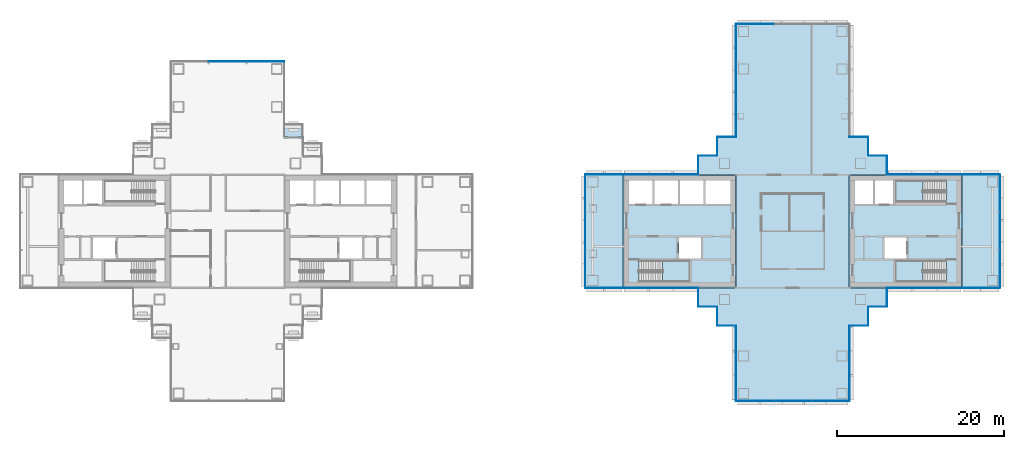
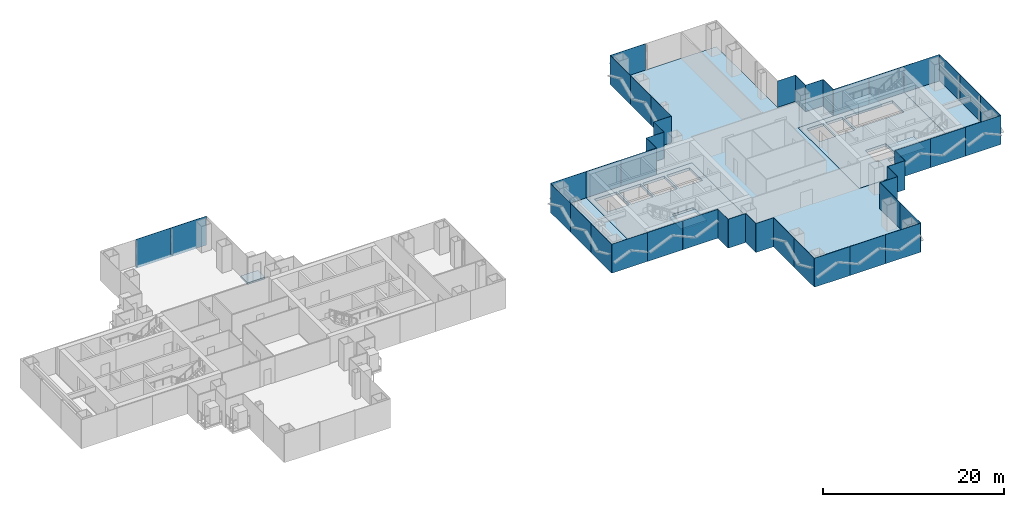
# One storey, part 9 of 19: 47 plates, 9 slabs, 23 elements without a shape of their own.
"""IFC4 building model written with IfcOpenShell, lengths in metres."""

import ifcopenshell
import ifcopenshell.guid

model = None  # the IFC model being written
_history = None  # IfcOwnerHistory: only IFC2X3 demands one
_inside = {}  # id of a spatial element -> (the spatial element, [elements in it])
_under = {}  # id of a project, library or spatial element -> (it, [spatial elements below it])
_declared = {}  # id of a project -> (the project, [libraries it declares])
_typed = {}  # id of a type object -> (the type object, [elements of that type])
_made_of = {}  # id of a material, layer set ... -> (it, [elements and type objects made of it])


def new_model(schema):
    """Start an empty IFC model of exactly this schema.

    Asked for "IFC4X3", IfcOpenShell would pick the latest addendum, in which some entities
    have other attributes; the version numbers below select the first issue.
    IFC2X3 requires an IfcOwnerHistory on every rooted entity: one is made here for all.
    """
    global model, _history
    if schema == "IFC4X3":
        model = ifcopenshell.file(schema_version=(4, 3, 0, 0))
    else:
        model = ifcopenshell.file(schema=schema)
    _inside.clear()
    _under.clear()
    _declared.clear()
    _typed.clear()
    _made_of.clear()
    _history = None
    if model.schema == "IFC2X3":
        org = make("IfcOrganization", Name="unknown")
        user = make(
            "IfcPersonAndOrganization",
            ThePerson=make("IfcPerson", FamilyName="unknown"),
            TheOrganization=org,
        )
        app = make(
            "IfcApplication",
            ApplicationDeveloper=org,
            Version="unknown",
            ApplicationFullName="unknown",
            ApplicationIdentifier="unknown",
        )
        _history = make(
            "IfcOwnerHistory",
            OwningUser=user,
            OwningApplication=app,
            ChangeAction="ADDED",
            CreationDate=0,
        )
    return model


def make(cls, **values):
    """One entity of the class cls with the attributes given. An attribute that is None is left unset."""
    return model.create_entity(
        cls, **{name: value for name, value in values.items() if value is not None}
    )


def rooted(cls, **values):
    """An entity with a GlobalId (a new one), such as an element, a storey or a relation."""
    return make(cls, GlobalId=ifcopenshell.guid.new(), OwnerHistory=_history, **values)


def si_unit(unit_type, name, prefix=None):
    """IfcSIUnit, for example si_unit("LENGTHUNIT", "METRE", prefix="MILLI")."""
    return make("IfcSIUnit", UnitType=unit_type, Prefix=prefix, Name=name)


def assignment(units):
    """IfcUnitAssignment: the units of a project."""
    return None if units is None else make("IfcUnitAssignment", Units=units)


def point(xyz):
    """IfcCartesianPoint."""
    return None if xyz is None else make("IfcCartesianPoint", Coordinates=xyz)


def direction(xyz):
    """IfcDirection."""
    return None if xyz is None else make("IfcDirection", DirectionRatios=xyz)


def frame(location, z_axis=None, x_axis=None):
    """IfcAxis2Placement3D, a coordinate frame: its origin and axes. An axis left out is left unset."""
    return make(
        "IfcAxis2Placement3D",
        Location=point(location),
        Axis=direction(z_axis),
        RefDirection=direction(x_axis),
    )


def frame_2d(location, x_axis=None):
    """IfcAxis2Placement2D, a coordinate frame in the plane: its origin and x axis."""
    return make(
        "IfcAxis2Placement2D", Location=point(location), RefDirection=direction(x_axis)
    )


def origin():
    """The frame at (0, 0, 0) with its axes left unset."""
    return frame((0.0, 0.0, 0.0))


def origin_2d():
    """The frame at (0, 0) in the plane with its x axis left unset."""
    return frame_2d((0.0, 0.0))


def place(relative_to, where):
    """IfcLocalPlacement: puts the frame where relative to a parent placement (None: the world)."""
    return make(
        "IfcLocalPlacement", PlacementRelTo=relative_to, RelativePlacement=where
    )


def context(
    kind, dimensions, precision=None, world=None, true_north=None, identifier=None
):
    """IfcGeometricRepresentationContext, for example the 3D "Model" context."""
    return make(
        "IfcGeometricRepresentationContext",
        ContextIdentifier=identifier,
        ContextType=kind,
        CoordinateSpaceDimension=dimensions,
        Precision=precision,
        WorldCoordinateSystem=world,
        TrueNorth=true_north,
    )


def subcontext(parent, identifier, kind, view, scale=None):
    """IfcGeometricRepresentationSubContext, for example "Body" below "Model"."""
    return make(
        "IfcGeometricRepresentationSubContext",
        ContextIdentifier=identifier,
        ContextType=kind,
        ParentContext=parent,
        TargetScale=scale,
        TargetView=view,
    )


def project(units=None, contexts=None):
    """IfcProject with its units and contexts."""
    return rooted(
        "IfcProject",
        Name="project",
        RepresentationContexts=contexts,
        UnitsInContext=assignment(units),
    )


def spatial(cls, under=None, at=None, **own):
    """A site, building, storey or space (cls), placed at a placement, below another one or the project."""
    s = rooted(cls, ObjectPlacement=at, **own)
    if under is not None:
        _under.setdefault(under.id(), (under, []))[1].append(s)
    return s


def polyline(points):
    """IfcPolyline through the points."""
    return make("IfcPolyline", Points=[point(p) for p in points])


def profile(cls, at=None, kind="AREA", **sizes):
    """A parametric profile (cls). Its sizes go by their IFC names, for example OverallWidth=200.0."""
    return make(cls, ProfileType=kind, Position=at, **sizes)


def rectangle(**sizes):
    """IfcRectangleProfileDef."""
    return profile("IfcRectangleProfileDef", **sizes)


def outline(outer, holes=None, kind="AREA"):
    """IfcArbitraryClosedProfileDef: a profile drawn as a closed curve; with holes, ...WithVoids."""
    if holes is None:
        return make("IfcArbitraryClosedProfileDef", ProfileType=kind, OuterCurve=outer)
    return make(
        "IfcArbitraryProfileDefWithVoids",
        ProfileType=kind,
        OuterCurve=outer,
        InnerCurves=holes,
    )


def extrude(swept, where, along, depth):
    """IfcExtrudedAreaSolid: the profile swept, set in the frame where, extruded along a direction by depth."""
    return make(
        "IfcExtrudedAreaSolid",
        SweptArea=swept,
        Position=where,
        ExtrudedDirection=direction(along),
        Depth=depth,
    )


def shape(context_of_items, identifier, shape_type, items):
    """IfcShapeRepresentation: the items that make up one representation, for example the "Body"."""
    return make(
        "IfcShapeRepresentation",
        ContextOfItems=context_of_items,
        RepresentationIdentifier=identifier,
        RepresentationType=shape_type,
        Items=items,
    )


def material(Name=None, Category=None):
    """IfcMaterial."""
    return make("IfcMaterial", Name=Name, Category=Category)


def layer(
    of_material, thickness, ventilated=None, Name=None, Category=None, Priority=None
):
    """IfcMaterialLayer: one layer of a wall or slab, of a material (None: an air gap)."""
    return make(
        "IfcMaterialLayer",
        Material=of_material,
        LayerThickness=thickness,
        IsVentilated=ventilated,
        Name=Name,
        Category=Category,
        Priority=Priority,
    )


def layer_set(layers, Name=None):
    """IfcMaterialLayerSet."""
    return make("IfcMaterialLayerSet", MaterialLayers=layers, LayerSetName=Name)


def made_of(thing, what):
    """Note that an element or type object is made of a material, layer set ...; save() writes the relation."""
    if what is not None:
        _made_of.setdefault(what.id(), (what, []))[1].append(thing)
    return thing


def type_object(cls, material=None, **own):
    """A type object (cls), such as IfcWallType, which elements share."""
    return made_of(rooted(cls, **own), material)


def element(
    cls,
    number,
    at=None,
    inside=None,
    cuts=None,
    type_object=None,
    material=None,
    context=None,
    identifier="Body",
    shape_type=None,
    held_by="IfcProductDefinitionShape",
    body=None,
    shapes=None,
    **own,
):
    """One element of the class cls, such as IfcWall. Its Tag is "e" and its number.

    at: its placement. inside: the storey or other place that contains it. cuts: it is an
    opening in that element (IfcRelVoidsElement). A single representation is given by context,
    identifier, shape_type and body (its items); several are given by shapes. held_by: the class
    of the entity that holds the representations. save() writes the other relations.
    """
    e = rooted(cls, Tag="e%d" % number, ObjectPlacement=at, **own)
    if body is not None:
        shapes = [shape(context, identifier, shape_type, body)]
    if shapes is not None:
        e.Representation = make(held_by, Representations=shapes)
    if inside is not None:
        _inside.setdefault(inside.id(), (inside, []))[1].append(e)
    if cuts is not None:
        rooted(
            "IfcRelVoidsElement", RelatingBuildingElement=cuts, RelatedOpeningElement=e
        )
    if type_object is not None:
        _typed.setdefault(type_object.id(), (type_object, []))[1].append(e)
    return made_of(e, material)


def aggregate(whole, parts):
    """IfcRelAggregates: a whole, such as a stair, and the parts it consists of."""
    return rooted("IfcRelAggregates", RelatingObject=whole, RelatedObjects=parts)


def save(model, path):
    """Write the relations noted so far, then the file.

    IfcRelAggregates (storeys below a building ...), IfcRelContainedInSpatialStructure (elements
    in a storey), IfcRelDefinesByType, IfcRelAssociatesMaterial and IfcRelDeclares: one each for
    every whole, place, type object, material and project.
    """
    for whole, parts in _under.values():
        aggregate(whole, parts)
    for where, things in _inside.values():
        rooted(
            "IfcRelContainedInSpatialStructure",
            RelatedElements=things,
            RelatingStructure=where,
        )
    for kind, things in _typed.values():
        rooted("IfcRelDefinesByType", RelatedObjects=things, RelatingType=kind)
    for what, things in _made_of.values():
        rooted("IfcRelAssociatesMaterial", RelatedObjects=things, RelatingMaterial=what)
    for by, libraries in _declared.values():
        rooted("IfcRelDeclares", RelatingContext=by, RelatedDefinitions=libraries)
    model.write(path)


model = new_model("IFC4")

# Units and contexts
model_context = context("Model", 3, precision=1e-05, world=origin(), true_north=direction((0.0, 1.0)))
body_context = subcontext(model_context, "Body", "Model", "MODEL_VIEW")
ifc_project = project(units=[si_unit("LENGTHUNIT", "METRE"), si_unit("AREAUNIT", "SQUARE_METRE"), si_unit("VOLUMEUNIT", "CUBIC_METRE"), si_unit("PLANEANGLEUNIT", "RADIAN"), si_unit("MASSUNIT", "GRAM", prefix="KILO")], contexts=[model_context])

# Site, building, storey
site_placement = place(None, origin())
site = spatial("IfcSite", under=ifc_project, at=site_placement, CompositionType="ELEMENT")
building_placement = place(site_placement, origin())
building = spatial("IfcBuilding", under=site, at=building_placement, Name="Shamsa Quay Exchange Towers", CompositionType="ELEMENT")
storey_placement = place(building_placement, frame((0.0, 0.0, 85.800048828125)))
storey = spatial("IfcBuildingStorey", under=building, at=storey_placement, Name="L19", CompositionType="ELEMENT", Elevation=85.800048828125)

# Slabs
ifc_material_1 = material(Name="Precast concrete C40/50", Category="concrete")
ifc_layer_1 = layer(ifc_material_1, 0.25)
ifc_layer_set_1 = layer_set([ifc_layer_1], Name="BALCONY SLAB 250")
slab_type_1 = type_object("IfcSlabType", Name="BALCONY SLAB 250", PredefinedType="FLOOR", material=ifc_layer_set_1)
slab_1_placement = place(storey_placement, frame((0.0, 0.0, -0.25)))
element("IfcSlab", 1, at=slab_1_placement, inside=storey, type_object=slab_type_1, Name="Balcony T1-PKEN L19", PredefinedType="FLOOR", context=body_context, shape_type="SweptSolid", body=[
    extrude(outline(polyline([(-24.75, 11.25), (-26.9619140625, 11.25), (-26.9619140625, 12.800048828125), (-24.75, 12.800048828125), (-24.75, 11.25)])), origin(), (0.0, 0.0, 1.0), 0.25),
])
ifc_material_2 = material(Name="Concrete C50/60", Category="concrete")
ifc_layer_2 = layer(ifc_material_2, 0.35009765625)
ifc_layer_set_2 = layer_set([ifc_layer_2], Name="CORE FLOOR 350 C50/60")
slab_type_2 = type_object("IfcSlabType", Name="CORE FLOOR 350 C50/60", PredefinedType="FLOOR", material=ifc_layer_set_2)
slab_2_placement = place(storey_placement, frame((0.0, 0.0, -0.35009765625)))
element("IfcSlab", 2, at=slab_2_placement, inside=storey, type_object=slab_type_2, Name="Core floor T2A", PredefinedType="FLOOR", context=body_context, shape_type="SweptSolid", body=[
    extrude(outline(polyline([(13.5, -6.75), (27.0, -6.75), (27.0, 6.75), (13.5, 6.75), (13.5, -6.75)]), holes=[polyline([(15.400634765625, -6.050048828125), (15.400634765625, -3.5), (21.5, -3.5), (21.5, -6.050048828125), (15.400634765625, -6.050048828125)]), polyline([(14.199951171875, 3.25), (14.199951171875, 6.050048828125), (17.0, 6.050048828125), (17.0, 3.25), (14.199951171875, 3.25)]), polyline([(17.25, 3.25), (17.25, 6.050048828125), (20.050048828125, 6.050048828125), (20.050048828125, 3.25), (17.25, 3.25)]), polyline([(20.300048828125, 3.25), (20.300048828125, 6.050048828125), (23.10009765625, 6.050048828125), (23.10009765625, 3.25), (20.300048828125, 3.25)]), polyline([(23.35009765625, 3.25), (23.35009765625, 6.050048828125), (26.300048828125, 6.050048828125), (26.300048828125, 3.25), (23.35009765625, 3.25)]), polyline([(20.14990234375, -3.25), (20.14990234375, -0.75), (22.800048828125, -0.75), (22.800048828125, -3.25), (20.14990234375, -3.25)])]), origin(), (0.0, 0.0, 1.0), 0.35009765625),
])
slab_3_placement = place(storey_placement, frame((0.0, 0.0, -0.35009765625)))
element("IfcSlab", 3, at=slab_3_placement, inside=storey, type_object=slab_type_2, Name="Core floor T2B", PredefinedType="FLOOR", context=body_context, shape_type="SweptSolid", body=[
    extrude(outline(polyline([(54.0, -6.75), (54.0, 6.75), (40.5, 6.75), (40.5, -6.75), (54.0, -6.75)]), holes=[polyline([(52.099365234375, -3.5), (52.099365234375, -6.050048828125), (46.0, -6.050048828125), (46.0, -3.5), (52.099365234375, -3.5)]), polyline([(52.099365234375, 6.050048828125), (52.099365234375, 3.5), (46.0, 3.5), (46.0, 6.050048828125), (52.099365234375, 6.050048828125)]), polyline([(45.75, 3.25), (43.60009765625, 3.25), (43.60009765625, 6.050048828125), (45.75, 6.050048828125), (45.75, 3.25)]), polyline([(43.35009765625, 3.25), (41.199951171875, 3.25), (41.199951171875, 6.050048828125), (43.35009765625, 6.050048828125), (43.35009765625, 3.25)]), polyline([(47.35009765625, -3.25), (44.699951171875, -3.25), (44.699951171875, -0.75), (47.35009765625, -0.75), (47.35009765625, -3.25)])]), origin(), (0.0, 0.0, 1.0), 0.35009765625),
])

# Stair, slab
ifc_material_3 = material(Name="Concrete C40/50", Category="concrete")
stair_type = type_object("IfcStairType", Name="EXIT STAIR 22 RISERS 177 MM", PredefinedType="HALF_TURN_STAIR", material=ifc_material_3)
stair_1_placement = place(storey_placement, origin())
stair_1 = element("IfcStair", 4, at=stair_1_placement, inside=storey, type_object=stair_type, Name="L19 Exit stair ST4", PredefinedType="HALF_TURN_STAIR")
ifc_layer_3 = layer(ifc_material_3, 0.199951171875)
ifc_layer_set_3 = layer_set([ifc_layer_3], Name="CORE STAIR LANDING")
slab_type_3 = type_object("IfcSlabType", Name="CORE STAIR LANDING", PredefinedType="LANDING", material=ifc_layer_set_3)
slab_4_placement = place(storey_placement, frame((0.0, 0.0, 1.75)))
slab_4 = element("IfcSlab", 5, at=slab_4_placement, type_object=slab_type_3, Name="ST4 landing 1", PredefinedType="LANDING", context=body_context, shape_type="SweptSolid", body=[
    extrude(outline(polyline([(18.199951171875, -6.050048828125), (21.5, -6.050048828125), (21.5, -3.5), (18.199951171875, -3.5), (18.199951171875, -6.050048828125)])), origin(), (0.0, 0.0, 1.0), 0.199951171875),
])
aggregate(stair_1, [slab_4])

stair_2_placement = place(storey_placement, origin())
stair_2 = element("IfcStair", 6, at=stair_2_placement, inside=storey, type_object=stair_type, Name="L19 Exit stair ST5", PredefinedType="HALF_TURN_STAIR")
slab_5_placement = place(storey_placement, frame((0.0, 0.0, 1.75)))
slab_5 = element("IfcSlab", 7, at=slab_5_placement, type_object=slab_type_3, Name="ST5 landing 1", PredefinedType="LANDING", context=body_context, shape_type="SweptSolid", body=[
    extrude(outline(polyline([(49.300048828125, -3.5), (46.0, -3.5), (46.0, -6.050048828125), (49.300048828125, -6.050048828125), (49.300048828125, -3.5)])), origin(), (0.0, 0.0, 1.0), 0.199951171875),
])
aggregate(stair_2, [slab_5])

stair_3_placement = place(storey_placement, origin())
stair_3 = element("IfcStair", 8, at=stair_3_placement, inside=storey, type_object=stair_type, Name="L19 Exit stair ST6", PredefinedType="HALF_TURN_STAIR")
slab_6_placement = place(storey_placement, frame((0.0, 0.0, 1.75)))
slab_6 = element("IfcSlab", 9, at=slab_6_placement, type_object=slab_type_3, Name="ST6 landing 1", PredefinedType="LANDING", context=body_context, shape_type="SweptSolid", body=[
    extrude(outline(polyline([(49.300048828125, 6.050048828125), (46.0, 6.050048828125), (46.0, 3.5), (49.300048828125, 3.5), (49.300048828125, 6.050048828125)])), origin(), (0.0, 0.0, 1.0), 0.199951171875),
])
aggregate(stair_3, [slab_6])

# Curtain wall, plates
ifc_material_4 = material(Name="Aluminium EN AW-6063 T6, black anodised", Category="aluminium")
ifc_layer_4 = layer(ifc_material_4, 0.280029296875)
ifc_layer_set_4 = layer_set([ifc_layer_4], Name="CW-1 UNITISED VISION GLASS")
curtain_wall_type_1 = type_object("IfcCurtainWallType", Name="CW-1 UNITISED VISION GLASS", PredefinedType="NOTDEFINED", material=ifc_layer_set_4)
curtain_wall_1_placement = place(storey_placement, origin())
curtain_wall_1 = element("IfcCurtainWall", 10, at=curtain_wall_1_placement, inside=storey, type_object=curtain_wall_type_1, Name="CW1 T1-END-V+ L19", PredefinedType="NOTDEFINED")
ifc_material_5 = material(Name="Glass, laminated, dark tinted", Category="glass")
ifc_layer_5 = layer(ifc_material_5, 0.0400390625)
ifc_layer_set_5 = layer_set([ifc_layer_5], Name="CW-1 VISION GLASS 40")
plate_type_1 = type_object("IfcPlateType", Name="CW-1 VISION GLASS 40", PredefinedType="CURTAIN_PANEL", material=ifc_layer_set_5)
plate_1_placement = place(storey_placement, frame((-29.24755859375, 20.27001953125, -0.35009765625), z_axis=(0.0, 0.0, 1.0), x_axis=(-1.0, 0.0, 0.0)))
plate_1 = element("IfcPlate", 11, at=plate_1_placement, type_object=plate_type_1, Name="CW1 glass panel", PredefinedType="CURTAIN_PANEL", context=body_context, shape_type="SweptSolid", body=[
    extrude(rectangle(XDim=4.4951171875, YDim=0.0400390625, at=origin_2d()), origin(), (0.0, 0.0, 1.0), 3.89990234375),
])
plate_2_placement = place(storey_placement, frame((-33.75, 20.27001953125, -0.35009765625), z_axis=(0.0, 0.0, 1.0), x_axis=(-1.0, 0.0, 0.0)))
plate_2 = element("IfcPlate", 12, at=plate_2_placement, type_object=plate_type_1, Name="CW1 glass panel", PredefinedType="CURTAIN_PANEL", context=body_context, shape_type="SweptSolid", body=[
    extrude(rectangle(XDim=4.489990234375, YDim=0.0400390625, at=origin_2d()), origin(), (0.0, 0.0, 1.0), 3.89990234375),
])
aggregate(curtain_wall_1, [plate_1, plate_2])

# Curtain wall, plate
curtain_wall_2_placement = place(storey_placement, origin())
curtain_wall_2 = element("IfcCurtainWall", 13, at=curtain_wall_2_placement, inside=storey, type_object=curtain_wall_type_1, Name="CW1 T2-FLK-V-W L19", PredefinedType="NOTDEFINED")
plate_3_placement = place(storey_placement, frame((56.25, -6.77001953125, -0.35009765625)))
plate_3 = element("IfcPlate", 14, at=plate_3_placement, type_object=plate_type_1, Name="CW1 glass panel", PredefinedType="CURTAIN_PANEL", context=body_context, shape_type="SweptSolid", body=[
    extrude(rectangle(XDim=4.5, YDim=0.0400390625, at=origin_2d()), origin(), (0.0, 0.0, 1.0), 3.89990234375),
])
aggregate(curtain_wall_2, [plate_3])

# Curtain wall, plates
curtain_wall_3_placement = place(storey_placement, origin())
curtain_wall_3 = element("IfcCurtainWall", 15, at=curtain_wall_3_placement, inside=storey, type_object=curtain_wall_type_1, Name="CW1 T2-END-V- L19", PredefinedType="NOTDEFINED")
plate_4_placement = place(storey_placement, frame((58.52001953125, -4.50244140625, -0.35009765625), z_axis=(0.0, 0.0, 1.0), x_axis=(0.0, 1.0, 0.0)))
plate_4 = element("IfcPlate", 16, at=plate_4_placement, type_object=plate_type_1, Name="CW1 glass panel", PredefinedType="CURTAIN_PANEL", context=body_context, shape_type="SweptSolid", body=[
    extrude(rectangle(XDim=4.4951171875, YDim=0.0400390625, at=origin_2d()), origin(), (0.0, 0.0, 1.0), 3.89990234375),
])
plate_5_placement = place(storey_placement, frame((58.52001953125, 0.0, -0.35009765625), z_axis=(0.0, 0.0, 1.0), x_axis=(0.0, 1.0, 0.0)))
plate_5 = element("IfcPlate", 17, at=plate_5_placement, type_object=plate_type_1, Name="CW1 glass panel", PredefinedType="CURTAIN_PANEL", context=body_context, shape_type="SweptSolid", body=[
    extrude(rectangle(XDim=4.489990234375, YDim=0.0400390625, at=origin_2d()), origin(), (0.0, 0.0, 1.0), 3.89990234375),
])
plate_6_placement = place(storey_placement, frame((58.52001953125, 4.50244140625, -0.35009765625), z_axis=(0.0, 0.0, 1.0), x_axis=(0.0, 1.0, 0.0)))
plate_6 = element("IfcPlate", 18, at=plate_6_placement, type_object=plate_type_1, Name="CW1 glass panel", PredefinedType="CURTAIN_PANEL", context=body_context, shape_type="SweptSolid", body=[
    extrude(rectangle(XDim=4.4951171875, YDim=0.0400390625, at=origin_2d()), origin(), (0.0, 0.0, 1.0), 3.89990234375),
])
aggregate(curtain_wall_3, [plate_4, plate_5, plate_6])

# Curtain wall, plate
curtain_wall_4_placement = place(storey_placement, origin())
curtain_wall_4 = element("IfcCurtainWall", 19, at=curtain_wall_4_placement, inside=storey, type_object=curtain_wall_type_1, Name="CW1 T2-FLK-V-E L19", PredefinedType="NOTDEFINED")
plate_7_placement = place(storey_placement, frame((56.25, 6.77001953125, -0.35009765625), z_axis=(0.0, 0.0, 1.0), x_axis=(-1.0, 0.0, 0.0)))
plate_7 = element("IfcPlate", 20, at=plate_7_placement, type_object=plate_type_1, Name="CW1 glass panel", PredefinedType="CURTAIN_PANEL", context=body_context, shape_type="SweptSolid", body=[
    extrude(rectangle(XDim=4.5, YDim=0.0400390625, at=origin_2d()), origin(), (0.0, 0.0, 1.0), 3.89990234375),
])
aggregate(curtain_wall_4, [plate_7])

curtain_wall_5_placement = place(storey_placement, origin())
curtain_wall_5 = element("IfcCurtainWall", 21, at=curtain_wall_5_placement, inside=storey, type_object=curtain_wall_type_1, Name="CW1 T2-END-U+ L19", PredefinedType="NOTDEFINED")
plate_8_placement = place(storey_placement, frame((29.24755859375, 24.77001953125, -0.35009765625), z_axis=(0.0, 0.0, 1.0), x_axis=(-1.0, 0.0, 0.0)))
plate_8 = element("IfcPlate", 22, at=plate_8_placement, type_object=plate_type_1, Name="CW1 glass panel", PredefinedType="CURTAIN_PANEL", context=body_context, shape_type="SweptSolid", body=[
    extrude(rectangle(XDim=4.4951171875, YDim=0.0400390625, at=origin_2d()), origin(), (0.0, 0.0, 1.0), 3.89990234375),
])
aggregate(curtain_wall_5, [plate_8])

# Curtain wall, plates
curtain_wall_6_placement = place(storey_placement, origin())
curtain_wall_6 = element("IfcCurtainWall", 23, at=curtain_wall_6_placement, inside=storey, type_object=curtain_wall_type_1, Name="CW1 T2-FLK-U+N L19", PredefinedType="NOTDEFINED")
plate_9_placement = place(storey_placement, frame((26.97998046875, 22.50244140625, -0.35009765625), z_axis=(0.0, 0.0, 1.0), x_axis=(0.0, -1.0, 0.0)))
plate_9 = element("IfcPlate", 24, at=plate_9_placement, type_object=plate_type_1, Name="CW1 glass panel", PredefinedType="CURTAIN_PANEL", context=body_context, shape_type="SweptSolid", body=[
    extrude(rectangle(XDim=4.4951171875, YDim=0.0400390625, at=origin_2d()), origin(), (0.0, 0.0, 1.0), 3.89990234375),
])
plate_10_placement = place(storey_placement, frame((26.97998046875, 18.0, -0.35009765625), z_axis=(0.0, 0.0, 1.0), x_axis=(0.0, -1.0, 0.0)))
plate_10 = element("IfcPlate", 25, at=plate_10_placement, type_object=plate_type_1, Name="CW1 glass panel", PredefinedType="CURTAIN_PANEL", context=body_context, shape_type="SweptSolid", body=[
    extrude(rectangle(XDim=4.489990234375, YDim=0.0400390625, at=origin_2d()), origin(), (0.0, 0.0, 1.0), 3.89990234375),
])
plate_11_placement = place(storey_placement, frame((26.97998046875, 13.49755859375, -0.35009765625), z_axis=(0.0, 0.0, 1.0), x_axis=(0.0, -1.0, 0.0)))
plate_11 = element("IfcPlate", 26, at=plate_11_placement, type_object=plate_type_1, Name="CW1 glass panel", PredefinedType="CURTAIN_PANEL", context=body_context, shape_type="SweptSolid", body=[
    extrude(rectangle(XDim=4.4951171875, YDim=0.0400390625, at=origin_2d()), origin(), (0.0, 0.0, 1.0), 3.89990234375),
])
aggregate(curtain_wall_6, [plate_9, plate_10, plate_11])

# Curtain wall, plate
curtain_wall_7_placement = place(storey_placement, origin())
curtain_wall_7 = element("IfcCurtainWall", 27, at=curtain_wall_7_placement, inside=storey, type_object=curtain_wall_type_1, Name="CW1 T2-FLK-V+E L19", PredefinedType="NOTDEFINED")
plate_12_placement = place(storey_placement, frame((11.25, 6.77001953125, -0.35009765625), z_axis=(0.0, 0.0, 1.0), x_axis=(-1.0, 0.0, 0.0)))
plate_12 = element("IfcPlate", 28, at=plate_12_placement, type_object=plate_type_1, Name="CW1 glass panel", PredefinedType="CURTAIN_PANEL", context=body_context, shape_type="SweptSolid", body=[
    extrude(rectangle(XDim=4.5, YDim=0.0400390625, at=origin_2d()), origin(), (0.0, 0.0, 1.0), 3.89990234375),
])
aggregate(curtain_wall_7, [plate_12])

# Curtain wall, plates
curtain_wall_8_placement = place(storey_placement, origin())
curtain_wall_8 = element("IfcCurtainWall", 29, at=curtain_wall_8_placement, inside=storey, type_object=curtain_wall_type_1, Name="CW1 T2-END-V+ L19", PredefinedType="NOTDEFINED")
plate_13_placement = place(storey_placement, frame((8.97998046875, 4.50244140625, -0.35009765625), z_axis=(0.0, 0.0, 1.0), x_axis=(0.0, -1.0, 0.0)))
plate_13 = element("IfcPlate", 30, at=plate_13_placement, type_object=plate_type_1, Name="CW1 glass panel", PredefinedType="CURTAIN_PANEL", context=body_context, shape_type="SweptSolid", body=[
    extrude(rectangle(XDim=4.4951171875, YDim=0.0400390625, at=origin_2d()), origin(), (0.0, 0.0, 1.0), 3.89990234375),
])
plate_14_placement = place(storey_placement, frame((8.97998046875, 0.0, -0.35009765625), z_axis=(0.0, 0.0, 1.0), x_axis=(0.0, -1.0, 0.0)))
plate_14 = element("IfcPlate", 31, at=plate_14_placement, type_object=plate_type_1, Name="CW1 glass panel", PredefinedType="CURTAIN_PANEL", context=body_context, shape_type="SweptSolid", body=[
    extrude(rectangle(XDim=4.489990234375, YDim=0.0400390625, at=origin_2d()), origin(), (0.0, 0.0, 1.0), 3.89990234375),
])
plate_15_placement = place(storey_placement, frame((8.97998046875, -4.50244140625, -0.35009765625), z_axis=(0.0, 0.0, 1.0), x_axis=(0.0, -1.0, 0.0)))
plate_15 = element("IfcPlate", 32, at=plate_15_placement, type_object=plate_type_1, Name="CW1 glass panel", PredefinedType="CURTAIN_PANEL", context=body_context, shape_type="SweptSolid", body=[
    extrude(rectangle(XDim=4.4951171875, YDim=0.0400390625, at=origin_2d()), origin(), (0.0, 0.0, 1.0), 3.89990234375),
])
aggregate(curtain_wall_8, [plate_13, plate_14, plate_15])

# Curtain wall, plate
curtain_wall_9_placement = place(storey_placement, origin())
curtain_wall_9 = element("IfcCurtainWall", 33, at=curtain_wall_9_placement, inside=storey, type_object=curtain_wall_type_1, Name="CW1 T2-FLK-V+W L19", PredefinedType="NOTDEFINED")
plate_16_placement = place(storey_placement, frame((11.25, -6.77001953125, -0.35009765625)))
plate_16 = element("IfcPlate", 34, at=plate_16_placement, type_object=plate_type_1, Name="CW1 glass panel", PredefinedType="CURTAIN_PANEL", context=body_context, shape_type="SweptSolid", body=[
    extrude(rectangle(XDim=4.5, YDim=0.0400390625, at=origin_2d()), origin(), (0.0, 0.0, 1.0), 3.89990234375),
])
aggregate(curtain_wall_9, [plate_16])

# Curtain wall, plates
curtain_wall_10_placement = place(storey_placement, origin())
curtain_wall_10 = element("IfcCurtainWall", 35, at=curtain_wall_10_placement, inside=storey, type_object=curtain_wall_type_1, Name="CW1 T2-FLK-U-N L19", PredefinedType="NOTDEFINED")
plate_17_placement = place(storey_placement, frame((26.97998046875, -13.52587890625, -0.35009765625), z_axis=(0.0, 0.0, 1.0), x_axis=(0.0, -1.0, 0.0)))
plate_17 = element("IfcPlate", 36, at=plate_17_placement, type_object=plate_type_1, Name="CW1 glass panel", PredefinedType="CURTAIN_PANEL", context=body_context, shape_type="SweptSolid", body=[
    extrude(rectangle(XDim=4.47607421875, YDim=0.0400390625, at=origin_2d()), origin(), (0.0, 0.0, 1.0), 3.89990234375),
])
plate_18_placement = place(storey_placement, frame((26.97998046875, -18.011962890625, -0.35009765625), z_axis=(0.0, 0.0, 1.0), x_axis=(0.0, -1.0, 0.0)))
plate_18 = element("IfcPlate", 37, at=plate_18_placement, type_object=plate_type_1, Name="CW1 glass panel", PredefinedType="CURTAIN_PANEL", context=body_context, shape_type="SweptSolid", body=[
    extrude(rectangle(XDim=4.47607421875, YDim=0.0400390625, at=origin_2d()), origin(), (0.0, 0.0, 1.0), 3.89990234375),
])
aggregate(curtain_wall_10, [plate_17, plate_18])

curtain_wall_11_placement = place(storey_placement, origin())
curtain_wall_11 = element("IfcCurtainWall", 38, at=curtain_wall_11_placement, inside=storey, type_object=curtain_wall_type_1, Name="CW1 T2-END-U- L19", PredefinedType="NOTDEFINED")
plate_19_placement = place(storey_placement, frame((29.24755859375, -20.27001953125, -0.35009765625)))
plate_19 = element("IfcPlate", 39, at=plate_19_placement, type_object=plate_type_1, Name="CW1 glass panel", PredefinedType="CURTAIN_PANEL", context=body_context, shape_type="SweptSolid", body=[
    extrude(rectangle(XDim=4.4951171875, YDim=0.0400390625, at=origin_2d()), origin(), (0.0, 0.0, 1.0), 3.89990234375),
])
plate_20_placement = place(storey_placement, frame((33.75, -20.27001953125, -0.35009765625)))
plate_20 = element("IfcPlate", 40, at=plate_20_placement, type_object=plate_type_1, Name="CW1 glass panel", PredefinedType="CURTAIN_PANEL", context=body_context, shape_type="SweptSolid", body=[
    extrude(rectangle(XDim=4.489990234375, YDim=0.0400390625, at=origin_2d()), origin(), (0.0, 0.0, 1.0), 3.89990234375),
])
plate_21_placement = place(storey_placement, frame((38.25244140625, -20.27001953125, -0.35009765625)))
plate_21 = element("IfcPlate", 41, at=plate_21_placement, type_object=plate_type_1, Name="CW1 glass panel", PredefinedType="CURTAIN_PANEL", context=body_context, shape_type="SweptSolid", body=[
    extrude(rectangle(XDim=4.4951171875, YDim=0.0400390625, at=origin_2d()), origin(), (0.0, 0.0, 1.0), 3.89990234375),
])
aggregate(curtain_wall_11, [plate_19, plate_20, plate_21])

curtain_wall_12_placement = place(storey_placement, origin())
curtain_wall_12 = element("IfcCurtainWall", 42, at=curtain_wall_12_placement, inside=storey, type_object=curtain_wall_type_1, Name="CW1 T2-FLK-U-S L19", PredefinedType="NOTDEFINED")
plate_22_placement = place(storey_placement, frame((40.52001953125, -18.00244140625, -0.35009765625), z_axis=(0.0, 0.0, 1.0), x_axis=(0.0, 1.0, 0.0)))
plate_22 = element("IfcPlate", 43, at=plate_22_placement, type_object=plate_type_1, Name="CW1 glass panel", PredefinedType="CURTAIN_PANEL", context=body_context, shape_type="SweptSolid", body=[
    extrude(rectangle(XDim=4.4951171875, YDim=0.0400390625, at=origin_2d()), origin(), (0.0, 0.0, 1.0), 3.89990234375),
])
plate_23_placement = place(storey_placement, frame((40.52001953125, -13.49755859375, -0.35009765625), z_axis=(0.0, 0.0, 1.0), x_axis=(0.0, 1.0, 0.0)))
plate_23 = element("IfcPlate", 44, at=plate_23_placement, type_object=plate_type_1, Name="CW1 glass panel", PredefinedType="CURTAIN_PANEL", context=body_context, shape_type="SweptSolid", body=[
    extrude(rectangle(XDim=4.4951171875, YDim=0.0400390625, at=origin_2d()), origin(), (0.0, 0.0, 1.0), 3.89990234375),
])
aggregate(curtain_wall_12, [plate_22, plate_23])

ifc_layer_6 = layer(ifc_material_4, 0.303955078125)
ifc_layer_set_6 = layer_set([ifc_layer_6], Name="CW-2 UNITISED OPAQUE SPANDREL GLASS")
curtain_wall_type_2 = type_object("IfcCurtainWallType", Name="CW-2 UNITISED OPAQUE SPANDREL GLASS", PredefinedType="NOTDEFINED", material=ifc_layer_set_6)
curtain_wall_13_placement = place(storey_placement, origin())
curtain_wall_13 = element("IfcCurtainWall", 45, at=curtain_wall_13_placement, inside=storey, type_object=curtain_wall_type_2, Name="CW2 T2-FLK-V-W L19", PredefinedType="NOTDEFINED")
ifc_material_6 = material(Name="Glass, laminated, black enamelled opaque", Category="glass")
ifc_layer_7 = layer(ifc_material_6, 0.0439453125)
ifc_layer_set_7 = layer_set([ifc_layer_7], Name="CW-2 SPANDREL GLASS 44")
plate_type_2 = type_object("IfcPlateType", Name="CW-2 SPANDREL GLASS 44", PredefinedType="CURTAIN_PANEL", material=ifc_layer_set_7)
plate_24_placement = place(storey_placement, frame((47.27587890625, -6.77197265625, -0.35009765625)))
plate_24 = element("IfcPlate", 46, at=plate_24_placement, type_object=plate_type_2, Name="CW2 glass panel", PredefinedType="CURTAIN_PANEL", context=body_context, shape_type="SweptSolid", body=[
    extrude(rectangle(XDim=4.47607421875, YDim=0.0439453125, at=origin_2d()), origin(), (0.0, 0.0, 1.0), 3.89990234375),
])
plate_25_placement = place(storey_placement, frame((51.761962890625, -6.77197265625, -0.35009765625)))
plate_25 = element("IfcPlate", 47, at=plate_25_placement, type_object=plate_type_2, Name="CW2 glass panel", PredefinedType="CURTAIN_PANEL", context=body_context, shape_type="SweptSolid", body=[
    extrude(rectangle(XDim=4.47607421875, YDim=0.0439453125, at=origin_2d()), origin(), (0.0, 0.0, 1.0), 3.89990234375),
])
aggregate(curtain_wall_13, [plate_24, plate_25])

curtain_wall_14_placement = place(storey_placement, origin())
curtain_wall_14 = element("IfcCurtainWall", 48, at=curtain_wall_14_placement, inside=storey, type_object=curtain_wall_type_2, Name="CW2 T2-FLK-V-E L19", PredefinedType="NOTDEFINED")
plate_26_placement = place(storey_placement, frame((51.75244140625, 6.77197265625, -0.35009765625), z_axis=(0.0, 0.0, 1.0), x_axis=(-1.0, 0.0, 0.0)))
plate_26 = element("IfcPlate", 49, at=plate_26_placement, type_object=plate_type_2, Name="CW2 glass panel", PredefinedType="CURTAIN_PANEL", context=body_context, shape_type="SweptSolid", body=[
    extrude(rectangle(XDim=4.4951171875, YDim=0.0439453125, at=origin_2d()), origin(), (0.0, 0.0, 1.0), 3.89990234375),
])
plate_27_placement = place(storey_placement, frame((47.24755859375, 6.77197265625, -0.35009765625), z_axis=(0.0, 0.0, 1.0), x_axis=(-1.0, 0.0, 0.0)))
plate_27 = element("IfcPlate", 50, at=plate_27_placement, type_object=plate_type_2, Name="CW2 glass panel", PredefinedType="CURTAIN_PANEL", context=body_context, shape_type="SweptSolid", body=[
    extrude(rectangle(XDim=4.4951171875, YDim=0.0439453125, at=origin_2d()), origin(), (0.0, 0.0, 1.0), 3.89990234375),
])
aggregate(curtain_wall_14, [plate_26, plate_27])

curtain_wall_15_placement = place(storey_placement, origin())
curtain_wall_15 = element("IfcCurtainWall", 51, at=curtain_wall_15_placement, inside=storey, type_object=curtain_wall_type_2, Name="CW2 T2-FLK-V+E L19", PredefinedType="NOTDEFINED")
plate_28_placement = place(storey_placement, frame((20.22412109375, 6.77197265625, -0.35009765625), z_axis=(0.0, 0.0, 1.0), x_axis=(-1.0, 0.0, 0.0)))
plate_28 = element("IfcPlate", 52, at=plate_28_placement, type_object=plate_type_2, Name="CW2 glass panel", PredefinedType="CURTAIN_PANEL", context=body_context, shape_type="SweptSolid", body=[
    extrude(rectangle(XDim=4.47607421875, YDim=0.0439453125, at=origin_2d()), origin(), (0.0, 0.0, 1.0), 3.89990234375),
])
plate_29_placement = place(storey_placement, frame((15.738037109375, 6.77197265625, -0.35009765625), z_axis=(0.0, 0.0, 1.0), x_axis=(-1.0, 0.0, 0.0)))
plate_29 = element("IfcPlate", 53, at=plate_29_placement, type_object=plate_type_2, Name="CW2 glass panel", PredefinedType="CURTAIN_PANEL", context=body_context, shape_type="SweptSolid", body=[
    extrude(rectangle(XDim=4.47607421875, YDim=0.0439453125, at=origin_2d()), origin(), (0.0, 0.0, 1.0), 3.89990234375),
])
aggregate(curtain_wall_15, [plate_28, plate_29])

curtain_wall_16_placement = place(storey_placement, origin())
curtain_wall_16 = element("IfcCurtainWall", 54, at=curtain_wall_16_placement, inside=storey, type_object=curtain_wall_type_2, Name="CW2 T2-FLK-V+W L19", PredefinedType="NOTDEFINED")
plate_30_placement = place(storey_placement, frame((15.74755859375, -6.77197265625, -0.35009765625)))
plate_30 = element("IfcPlate", 55, at=plate_30_placement, type_object=plate_type_2, Name="CW2 glass panel", PredefinedType="CURTAIN_PANEL", context=body_context, shape_type="SweptSolid", body=[
    extrude(rectangle(XDim=4.4951171875, YDim=0.0439453125, at=origin_2d()), origin(), (0.0, 0.0, 1.0), 3.89990234375),
])
plate_31_placement = place(storey_placement, frame((20.25244140625, -6.77197265625, -0.35009765625)))
plate_31 = element("IfcPlate", 56, at=plate_31_placement, type_object=plate_type_2, Name="CW2 glass panel", PredefinedType="CURTAIN_PANEL", context=body_context, shape_type="SweptSolid", body=[
    extrude(rectangle(XDim=4.4951171875, YDim=0.0439453125, at=origin_2d()), origin(), (0.0, 0.0, 1.0), 3.89990234375),
])
aggregate(curtain_wall_16, [plate_30, plate_31])

ifc_layer_8 = layer(ifc_material_4, 0.256103515625)
ifc_layer_set_8 = layer_set([ifc_layer_8], Name="CW-4 POCKET SERRATED GLAZING")
curtain_wall_type_3 = type_object("IfcCurtainWallType", Name="CW-4 POCKET SERRATED GLAZING", PredefinedType="NOTDEFINED", material=ifc_layer_set_8)
curtain_wall_17_placement = place(storey_placement, origin())
curtain_wall_17 = element("IfcCurtainWall", 57, at=curtain_wall_17_placement, inside=storey, type_object=curtain_wall_type_3, Name="CW4 PKWS L19", PredefinedType="NOTDEFINED")
ifc_layer_9 = layer(ifc_material_5, 0.035888671875)
ifc_layer_set_9 = layer_set([ifc_layer_9], Name="CW-4 POCKET GLASS 36")
plate_type_3 = type_object("IfcPlateType", Name="CW-4 POCKET GLASS 36", PredefinedType="CURTAIN_PANEL", material=ifc_layer_set_9)
plate_32_placement = place(storey_placement, frame((43.89404296875, -9.01806640625, -0.35009765625)))
plate_32 = element("IfcPlate", 58, at=plate_32_placement, type_object=plate_type_3, Name="CW4 glass panel", PredefinedType="CURTAIN_PANEL", context=body_context, shape_type="SweptSolid", body=[
    extrude(rectangle(XDim=2.2119140625, YDim=0.035888671875, at=origin_2d()), origin(), (0.0, 0.0, 1.0), 3.89990234375),
])
plate_33_placement = place(storey_placement, frame((45.01806640625, -7.875, -0.35009765625), z_axis=(0.0, 0.0, 1.0), x_axis=(0.0, 1.0, 0.0)))
plate_33 = element("IfcPlate", 59, at=plate_33_placement, type_object=plate_type_3, Name="CW4 glass panel", PredefinedType="CURTAIN_PANEL", context=body_context, shape_type="SweptSolid", body=[
    extrude(rectangle(XDim=2.25, YDim=0.035888671875, at=origin_2d()), origin(), (0.0, 0.0, 1.0), 3.89990234375),
])
plate_34_placement = place(storey_placement, frame((41.64599609375, -11.26806640625, -0.35009765625)))
plate_34 = element("IfcPlate", 60, at=plate_34_placement, type_object=plate_type_3, Name="CW4 glass panel", PredefinedType="CURTAIN_PANEL", context=body_context, shape_type="SweptSolid", body=[
    extrude(rectangle(XDim=2.2080078125, YDim=0.035888671875, at=origin_2d()), origin(), (0.0, 0.0, 1.0), 3.89990234375),
])
plate_35_placement = place(storey_placement, frame((42.76806640625, -10.125, -0.35009765625), z_axis=(0.0, 0.0, 1.0), x_axis=(0.0, 1.0, 0.0)))
plate_35 = element("IfcPlate", 61, at=plate_35_placement, type_object=plate_type_3, Name="CW4 glass panel", PredefinedType="CURTAIN_PANEL", context=body_context, shape_type="SweptSolid", body=[
    extrude(rectangle(XDim=2.25, YDim=0.035888671875, at=origin_2d()), origin(), (0.0, 0.0, 1.0), 3.89990234375),
])
aggregate(curtain_wall_17, [plate_32, plate_33, plate_34, plate_35])

curtain_wall_18_placement = place(storey_placement, origin())
curtain_wall_18 = element("IfcCurtainWall", 62, at=curtain_wall_18_placement, inside=storey, type_object=curtain_wall_type_3, Name="CW4 PKES L19", PredefinedType="NOTDEFINED")
plate_36_placement = place(storey_placement, frame((45.01806640625, 7.89794921875, -0.35009765625), z_axis=(0.0, 0.0, 1.0), x_axis=(0.0, 1.0, 0.0)))
plate_36 = element("IfcPlate", 63, at=plate_36_placement, type_object=plate_type_3, Name="CW4 glass panel", PredefinedType="CURTAIN_PANEL", context=body_context, shape_type="SweptSolid", body=[
    extrude(rectangle(XDim=2.2041015625, YDim=0.035888671875, at=origin_2d()), origin(), (0.0, 0.0, 1.0), 3.89990234375),
])
plate_37_placement = place(storey_placement, frame((43.875, 9.01806640625, -0.35009765625), z_axis=(0.0, 0.0, 1.0), x_axis=(-1.0, 0.0, 0.0)))
plate_37 = element("IfcPlate", 64, at=plate_37_placement, type_object=plate_type_3, Name="CW4 glass panel", PredefinedType="CURTAIN_PANEL", context=body_context, shape_type="SweptSolid", body=[
    extrude(rectangle(XDim=2.25, YDim=0.035888671875, at=origin_2d()), origin(), (0.0, 0.0, 1.0), 3.89990234375),
])
plate_38_placement = place(storey_placement, frame((42.76806640625, 10.14404296875, -0.35009765625), z_axis=(0.0, 0.0, 1.0), x_axis=(0.0, 1.0, 0.0)))
plate_38 = element("IfcPlate", 65, at=plate_38_placement, type_object=plate_type_3, Name="CW4 glass panel", PredefinedType="CURTAIN_PANEL", context=body_context, shape_type="SweptSolid", body=[
    extrude(rectangle(XDim=2.2119140625, YDim=0.035888671875, at=origin_2d()), origin(), (0.0, 0.0, 1.0), 3.89990234375),
])
plate_39_placement = place(storey_placement, frame((41.625, 11.26806640625, -0.35009765625), z_axis=(0.0, 0.0, 1.0), x_axis=(-1.0, 0.0, 0.0)))
plate_39 = element("IfcPlate", 66, at=plate_39_placement, type_object=plate_type_3, Name="CW4 glass panel", PredefinedType="CURTAIN_PANEL", context=body_context, shape_type="SweptSolid", body=[
    extrude(rectangle(XDim=2.25, YDim=0.035888671875, at=origin_2d()), origin(), (0.0, 0.0, 1.0), 3.89990234375),
])
aggregate(curtain_wall_18, [plate_36, plate_37, plate_38, plate_39])

curtain_wall_19_placement = place(storey_placement, origin())
curtain_wall_19 = element("IfcCurtainWall", 67, at=curtain_wall_19_placement, inside=storey, type_object=curtain_wall_type_3, Name="CW4 PKEN L19", PredefinedType="NOTDEFINED")
plate_40_placement = place(storey_placement, frame((25.85400390625, 11.26806640625, -0.35009765625), z_axis=(0.0, 0.0, 1.0), x_axis=(-1.0, 0.0, 0.0)))
plate_40 = element("IfcPlate", 68, at=plate_40_placement, type_object=plate_type_3, Name="CW4 glass panel", PredefinedType="CURTAIN_PANEL", context=body_context, shape_type="SweptSolid", body=[
    extrude(rectangle(XDim=2.2080078125, YDim=0.035888671875, at=origin_2d()), origin(), (0.0, 0.0, 1.0), 3.89990234375),
])
plate_41_placement = place(storey_placement, frame((24.73193359375, 10.125, -0.35009765625), z_axis=(0.0, 0.0, 1.0), x_axis=(0.0, -1.0, 0.0)))
plate_41 = element("IfcPlate", 69, at=plate_41_placement, type_object=plate_type_3, Name="CW4 glass panel", PredefinedType="CURTAIN_PANEL", context=body_context, shape_type="SweptSolid", body=[
    extrude(rectangle(XDim=2.25, YDim=0.035888671875, at=origin_2d()), origin(), (0.0, 0.0, 1.0), 3.89990234375),
])
plate_42_placement = place(storey_placement, frame((23.60595703125, 9.01806640625, -0.35009765625), z_axis=(0.0, 0.0, 1.0), x_axis=(-1.0, 0.0, 0.0)))
plate_42 = element("IfcPlate", 70, at=plate_42_placement, type_object=plate_type_3, Name="CW4 glass panel", PredefinedType="CURTAIN_PANEL", context=body_context, shape_type="SweptSolid", body=[
    extrude(rectangle(XDim=2.2119140625, YDim=0.035888671875, at=origin_2d()), origin(), (0.0, 0.0, 1.0), 3.89990234375),
])
plate_43_placement = place(storey_placement, frame((22.48193359375, 7.875, -0.35009765625), z_axis=(0.0, 0.0, 1.0), x_axis=(0.0, -1.0, 0.0)))
plate_43 = element("IfcPlate", 71, at=plate_43_placement, type_object=plate_type_3, Name="CW4 glass panel", PredefinedType="CURTAIN_PANEL", context=body_context, shape_type="SweptSolid", body=[
    extrude(rectangle(XDim=2.25, YDim=0.035888671875, at=origin_2d()), origin(), (0.0, 0.0, 1.0), 3.89990234375),
])
aggregate(curtain_wall_19, [plate_40, plate_41, plate_42, plate_43])

curtain_wall_20_placement = place(storey_placement, origin())
curtain_wall_20 = element("IfcCurtainWall", 72, at=curtain_wall_20_placement, inside=storey, type_object=curtain_wall_type_3, Name="CW4 PKWN L19", PredefinedType="NOTDEFINED")
plate_44_placement = place(storey_placement, frame((22.48193359375, -7.89794921875, -0.35009765625), z_axis=(0.0, 0.0, 1.0), x_axis=(0.0, -1.0, 0.0)))
plate_44 = element("IfcPlate", 73, at=plate_44_placement, type_object=plate_type_3, Name="CW4 glass panel", PredefinedType="CURTAIN_PANEL", context=body_context, shape_type="SweptSolid", body=[
    extrude(rectangle(XDim=2.2041015625, YDim=0.035888671875, at=origin_2d()), origin(), (0.0, 0.0, 1.0), 3.89990234375),
])
plate_45_placement = place(storey_placement, frame((23.625, -9.01806640625, -0.35009765625)))
plate_45 = element("IfcPlate", 74, at=plate_45_placement, type_object=plate_type_3, Name="CW4 glass panel", PredefinedType="CURTAIN_PANEL", context=body_context, shape_type="SweptSolid", body=[
    extrude(rectangle(XDim=2.25, YDim=0.035888671875, at=origin_2d()), origin(), (0.0, 0.0, 1.0), 3.89990234375),
])
plate_46_placement = place(storey_placement, frame((24.73193359375, -10.14404296875, -0.35009765625), z_axis=(0.0, 0.0, 1.0), x_axis=(0.0, -1.0, 0.0)))
plate_46 = element("IfcPlate", 75, at=plate_46_placement, type_object=plate_type_3, Name="CW4 glass panel", PredefinedType="CURTAIN_PANEL", context=body_context, shape_type="SweptSolid", body=[
    extrude(rectangle(XDim=2.2119140625, YDim=0.035888671875, at=origin_2d()), origin(), (0.0, 0.0, 1.0), 3.89990234375),
])
plate_47_placement = place(storey_placement, frame((25.875, -11.26806640625, -0.35009765625)))
plate_47 = element("IfcPlate", 76, at=plate_47_placement, type_object=plate_type_3, Name="CW4 glass panel", PredefinedType="CURTAIN_PANEL", context=body_context, shape_type="SweptSolid", body=[
    extrude(rectangle(XDim=2.25, YDim=0.035888671875, at=origin_2d()), origin(), (0.0, 0.0, 1.0), 3.89990234375),
])
aggregate(curtain_wall_20, [plate_44, plate_45, plate_46, plate_47])

# Slabs
ifc_layer_10 = layer(ifc_material_3, 0.35009765625)
ifc_layer_set_10 = layer_set([ifc_layer_10], Name="Flat slab 350")
slab_type_4 = type_object("IfcSlabType", Name="Flat slab 350", PredefinedType="FLOOR", material=ifc_layer_set_10)
slab_7_placement = place(storey_placement, frame((0.0, 0.0, -0.35009765625)))
element("IfcSlab", 77, at=slab_7_placement, inside=storey, type_object=slab_type_4, Name="Flat slab T2 L19 4", PredefinedType="FLOOR", context=body_context, shape_type="SweptSolid", body=[
    extrude(outline(polyline([(9.0, -6.75), (13.5, -6.75), (13.5, 6.75), (9.0, 6.75), (9.0, -6.75)])), origin(), (0.0, 0.0, 1.0), 0.35009765625),
])
slab_8_placement = place(storey_placement, frame((0.0, 0.0, -0.35009765625)))
element("IfcSlab", 78, at=slab_8_placement, inside=storey, type_object=slab_type_4, Name="Flat slab T2 L19 5", PredefinedType="FLOOR", context=body_context, shape_type="SweptSolid", body=[
    extrude(outline(polyline([(45.0, -9.0), (45.0, -6.75), (40.5, -6.75), (40.5, 6.75), (45.0, 6.75), (45.0, 9.0), (42.75, 9.0), (42.75, 11.25), (40.5, 11.25), (40.5, 24.75), (27.0, 24.75), (27.0, 11.25), (24.75, 11.25), (24.75, 9.0), (22.5, 9.0), (22.5, 6.75), (27.0, 6.75), (27.0, -6.75), (22.5, -6.75), (22.5, -9.0), (24.75, -9.0), (24.75, -11.25), (27.0, -11.25), (27.0, -20.25), (40.5, -20.25), (40.5, -11.25), (42.75, -11.25), (42.75, -9.0), (45.0, -9.0)])), origin(), (0.0, 0.0, 1.0), 0.35009765625),
])
slab_9_placement = place(storey_placement, frame((0.0, 0.0, -0.35009765625)))
element("IfcSlab", 79, at=slab_9_placement, inside=storey, type_object=slab_type_4, Name="Flat slab T2 L19 6", PredefinedType="FLOOR", context=body_context, shape_type="SweptSolid", body=[
    extrude(outline(polyline([(58.5, 6.75), (54.0, 6.75), (54.0, -6.75), (58.5, -6.75), (58.5, 6.75)])), origin(), (0.0, 0.0, 1.0), 0.35009765625),
])

save(model, "model.ifc")
